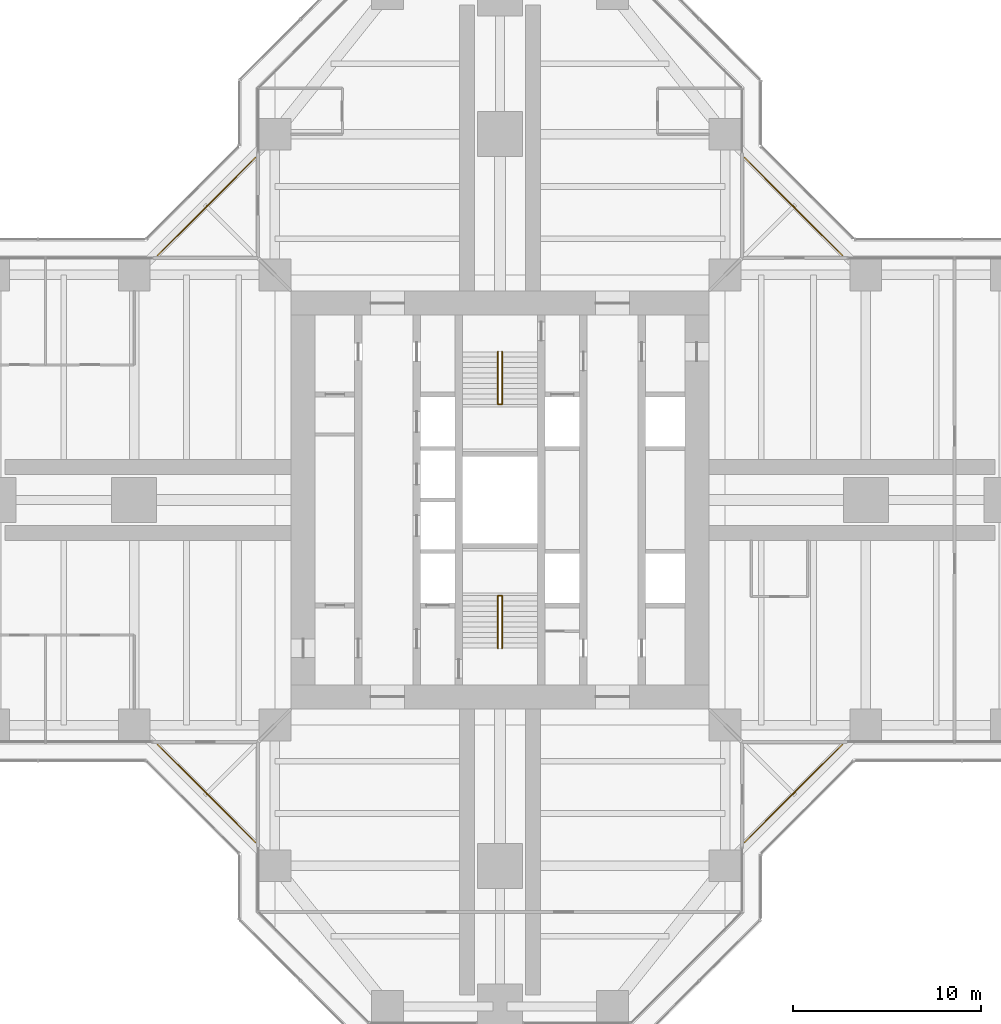
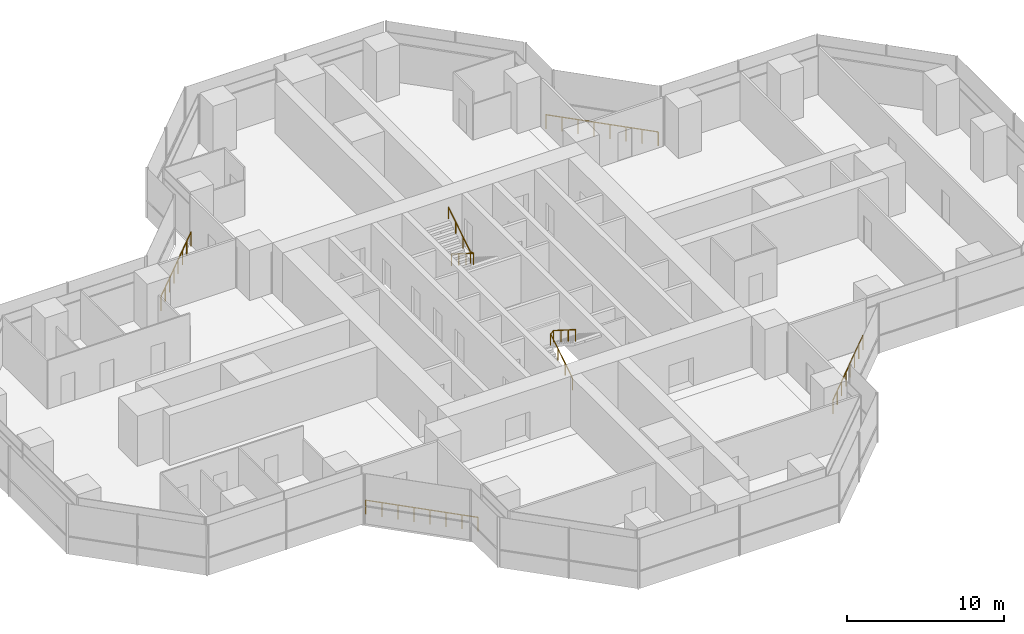
# One storey, part 20 of 20: 6 railings.
"""IFC4 building model written with IfcOpenShell, lengths in metres."""

from ifc_helpers import new_model, si_unit, direction, frame, origin, origin_2d, place, context, subcontext, project, spatial, circle, extrude, material, type_object, element, save


model = new_model("IFC4")

# Units and contexts
model_context = context("Model", 3, precision=1e-05, world=origin(), true_north=direction((0.0, 1.0)))
body_context = subcontext(model_context, "Body", "Model", "MODEL_VIEW")
ifc_project = project(units=[si_unit("LENGTHUNIT", "METRE"), si_unit("AREAUNIT", "SQUARE_METRE"), si_unit("VOLUMEUNIT", "CUBIC_METRE"), si_unit("PLANEANGLEUNIT", "RADIAN"), si_unit("MASSUNIT", "GRAM", prefix="KILO")], contexts=[model_context])

# Site, building, storey
site_placement = place(None, origin())
site = spatial("IfcSite", under=ifc_project, at=site_placement, CompositionType="ELEMENT")
building_placement = place(site_placement, origin())
building = spatial("IfcBuilding", under=site, at=building_placement, Name="Mizan Broadcast Tower", CompositionType="ELEMENT")
storey_placement = place(building_placement, frame((0.0, 0.0, 171.0)))
storey = spatial("IfcBuildingStorey", under=building, at=storey_placement, Name="L39", CompositionType="ELEMENT", Elevation=171.0)

# Railings
ifc_material_1 = material(Name="Stainless steel and glass guard", Category="steel")
railing_type_1 = type_object("IfcRailingType", Name="GUARD 1100", PredefinedType="GUARDRAIL", material=ifc_material_1)
railing_1_placement = place(storey_placement, frame((18.2578125, 13.030029296875, 0.0)))
element("IfcRailing", 1, at=railing_1_placement, inside=storey, type_object=railing_type_1, Name="Winter garden guard L39 E", PredefinedType="GUARDRAIL", context=body_context, shape_type="SweptSolid", body=[
    extrude(circle(Radius=0.02392578125, at=origin_2d()), frame((0.0, 0.0, 1.076171875), z_axis=(-0.707106781187, 0.707106781187, 0.0), x_axis=(-0.707106781187, -0.707106781187, 0.0)), (0.0, 0.0, 1.0), 7.393310546875),
    extrude(circle(Radius=0.02099609375, at=origin_2d()), origin(), (0.0, 0.0, 1.0), 1.052001953125),
    extrude(circle(Radius=0.02099609375, at=origin_2d()), frame((-0.746826171875, 0.746826171875, 0.0)), (0.0, 0.0, 1.0), 1.052001953125),
    extrude(circle(Radius=0.02099609375, at=origin_2d()), frame((-1.49365234375, 1.49365234375, 0.0)), (0.0, 0.0, 1.0), 1.052001953125),
    extrude(circle(Radius=0.02099609375, at=origin_2d()), frame((-2.240478515625, 2.240478515625, 0.0)), (0.0, 0.0, 1.0), 1.052001953125),
    extrude(circle(Radius=0.02099609375, at=origin_2d()), frame((-2.9873046875, 2.9873046875, 0.0)), (0.0, 0.0, 1.0), 1.052001953125),
    extrude(circle(Radius=0.02099609375, at=origin_2d()), frame((-3.734130859375, 3.734130859375, 0.0)), (0.0, 0.0, 1.0), 1.052001953125),
    extrude(circle(Radius=0.02099609375, at=origin_2d()), frame((-4.48095703125, 4.48095703125, 0.0)), (0.0, 0.0, 1.0), 1.052001953125),
    extrude(circle(Radius=0.02099609375, at=origin_2d()), frame((-5.227783203125, 5.227783203125, 0.0)), (0.0, 0.0, 1.0), 1.052001953125),
])
railing_2_placement = place(storey_placement, frame((-13.030029296875, 18.2578125, 0.0)))
element("IfcRailing", 2, at=railing_2_placement, inside=storey, type_object=railing_type_1, Name="Winter garden guard L39 N", PredefinedType="GUARDRAIL", context=body_context, shape_type="SweptSolid", body=[
    extrude(circle(Radius=0.02392578125, at=origin_2d()), frame((0.0, 0.0, 1.076171875), z_axis=(-0.707106781187, -0.707106781187, 0.0), x_axis=(0.707106781187, -0.707106781187, 0.0)), (0.0, 0.0, 1.0), 7.393310546875),
    extrude(circle(Radius=0.02099609375, at=origin_2d()), origin(), (0.0, 0.0, 1.0), 1.052001953125),
    extrude(circle(Radius=0.02099609375, at=origin_2d()), frame((-0.746826171875, -0.746826171875, 0.0)), (0.0, 0.0, 1.0), 1.052001953125),
    extrude(circle(Radius=0.02099609375, at=origin_2d()), frame((-1.49365234375, -1.49365234375, 0.0)), (0.0, 0.0, 1.0), 1.052001953125),
    extrude(circle(Radius=0.02099609375, at=origin_2d()), frame((-2.240478515625, -2.240478515625, 0.0)), (0.0, 0.0, 1.0), 1.052001953125),
    extrude(circle(Radius=0.02099609375, at=origin_2d()), frame((-2.9873046875, -2.9873046875, 0.0)), (0.0, 0.0, 1.0), 1.052001953125),
    extrude(circle(Radius=0.02099609375, at=origin_2d()), frame((-3.734130859375, -3.734130859375, 0.0)), (0.0, 0.0, 1.0), 1.052001953125),
    extrude(circle(Radius=0.02099609375, at=origin_2d()), frame((-4.48095703125, -4.48095703125, 0.0)), (0.0, 0.0, 1.0), 1.052001953125),
    extrude(circle(Radius=0.02099609375, at=origin_2d()), frame((-5.227783203125, -5.227783203125, 0.0)), (0.0, 0.0, 1.0), 1.052001953125),
])
railing_3_placement = place(storey_placement, frame((-18.2578125, -13.030029296875, 0.0)))
element("IfcRailing", 3, at=railing_3_placement, inside=storey, type_object=railing_type_1, Name="Winter garden guard L39 W", PredefinedType="GUARDRAIL", context=body_context, shape_type="SweptSolid", body=[
    extrude(circle(Radius=0.02392578125, at=origin_2d()), frame((0.0, 0.0, 1.076171875), z_axis=(0.707106781187, -0.707106781187, 0.0), x_axis=(0.707106781187, 0.707106781187, 0.0)), (0.0, 0.0, 1.0), 7.393310546875),
    extrude(circle(Radius=0.02099609375, at=origin_2d()), origin(), (0.0, 0.0, 1.0), 1.052001953125),
    extrude(circle(Radius=0.02099609375, at=origin_2d()), frame((0.746826171875, -0.746826171875, 0.0)), (0.0, 0.0, 1.0), 1.052001953125),
    extrude(circle(Radius=0.02099609375, at=origin_2d()), frame((1.49365234375, -1.49365234375, 0.0)), (0.0, 0.0, 1.0), 1.052001953125),
    extrude(circle(Radius=0.02099609375, at=origin_2d()), frame((2.240478515625, -2.240478515625, 0.0)), (0.0, 0.0, 1.0), 1.052001953125),
    extrude(circle(Radius=0.02099609375, at=origin_2d()), frame((2.9873046875, -2.9873046875, 0.0)), (0.0, 0.0, 1.0), 1.052001953125),
    extrude(circle(Radius=0.02099609375, at=origin_2d()), frame((3.734130859375, -3.734130859375, 0.0)), (0.0, 0.0, 1.0), 1.052001953125),
    extrude(circle(Radius=0.02099609375, at=origin_2d()), frame((4.48095703125, -4.48095703125, 0.0)), (0.0, 0.0, 1.0), 1.052001953125),
    extrude(circle(Radius=0.02099609375, at=origin_2d()), frame((5.227783203125, -5.227783203125, 0.0)), (0.0, 0.0, 1.0), 1.052001953125),
])
railing_4_placement = place(storey_placement, frame((13.030029296875, -18.2578125, 0.0)))
element("IfcRailing", 4, at=railing_4_placement, inside=storey, type_object=railing_type_1, Name="Winter garden guard L39 S", PredefinedType="GUARDRAIL", context=body_context, shape_type="SweptSolid", body=[
    extrude(circle(Radius=0.02392578125, at=origin_2d()), frame((0.0, 0.0, 1.076171875), z_axis=(0.707106781187, 0.707106781187, 0.0), x_axis=(-0.707106781187, 0.707106781187, 0.0)), (0.0, 0.0, 1.0), 7.393310546875),
    extrude(circle(Radius=0.02099609375, at=origin_2d()), origin(), (0.0, 0.0, 1.0), 1.052001953125),
    extrude(circle(Radius=0.02099609375, at=origin_2d()), frame((0.746826171875, 0.746826171875, 0.0)), (0.0, 0.0, 1.0), 1.052001953125),
    extrude(circle(Radius=0.02099609375, at=origin_2d()), frame((1.49365234375, 1.49365234375, 0.0)), (0.0, 0.0, 1.0), 1.052001953125),
    extrude(circle(Radius=0.02099609375, at=origin_2d()), frame((2.240478515625, 2.240478515625, 0.0)), (0.0, 0.0, 1.0), 1.052001953125),
    extrude(circle(Radius=0.02099609375, at=origin_2d()), frame((2.9873046875, 2.9873046875, 0.0)), (0.0, 0.0, 1.0), 1.052001953125),
    extrude(circle(Radius=0.02099609375, at=origin_2d()), frame((3.734130859375, 3.734130859375, 0.0)), (0.0, 0.0, 1.0), 1.052001953125),
    extrude(circle(Radius=0.02099609375, at=origin_2d()), frame((4.48095703125, 4.48095703125, 0.0)), (0.0, 0.0, 1.0), 1.052001953125),
    extrude(circle(Radius=0.02099609375, at=origin_2d()), frame((5.227783203125, 5.227783203125, 0.0)), (0.0, 0.0, 1.0), 1.052001953125),
])
ifc_material_2 = material(Name="Stainless steel", Category="steel")
railing_type_2 = type_object("IfcRailingType", Name="HANDRAIL 50", PredefinedType="HANDRAIL", material=ifc_material_2)
railing_5_placement = place(storey_placement, frame((-0.110107421875, -7.89990234375, 0.17724609375)))
element("IfcRailing", 5, at=railing_5_placement, inside=storey, type_object=railing_type_2, Name="Stair A handrail", PredefinedType="HANDRAIL", context=body_context, shape_type="SweptSolid", body=[
    extrude(circle(Radius=0.02392578125, at=origin_2d()), frame((0.0, 0.0, 0.8759765625), z_axis=(0.0, 0.844887892834, 0.53494340686), x_axis=(-1.0, 0.0, 0.0)), (0.0, 0.0, 1.0), 3.313720703125),
    extrude(circle(Radius=0.02392578125, at=origin_2d()), frame((0.0, 2.7998046875, 2.6484375), z_axis=(0.779011685263, 0.0, 0.627009405212), x_axis=(0.0, 1.0, 0.0)), (0.0, 0.0, 1.0), 0.28271484375),
    extrude(circle(Radius=0.02392578125, at=origin_2d()), frame((0.22021484375, 2.7998046875, 2.82568359375), z_axis=(0.0, -0.844887892834, 0.53494340686), x_axis=(1.0, 0.0, 0.0)), (0.0, 0.0, 1.0), 3.313720703125),
    extrude(circle(Radius=0.02099609375, at=origin_2d()), origin(), (0.0, 0.0, 1.0), 0.851806640625),
    extrude(circle(Radius=0.02099609375, at=origin_2d()), frame((0.0, 0.933349609375, 0.5908203125)), (0.0, 0.0, 1.0), 0.851806640625),
    extrude(circle(Radius=0.02099609375, at=origin_2d()), frame((0.0, 1.866455078125, 1.181884765625)), (0.0, 0.0, 1.0), 0.851806640625),
    extrude(circle(Radius=0.02099609375, at=origin_2d()), frame((0.0, 2.7998046875, 1.772705078125)), (0.0, 0.0, 1.0), 0.851806640625),
    extrude(circle(Radius=0.02099609375, at=origin_2d()), frame((0.22021484375, 2.7998046875, 1.949951171875)), (0.0, 0.0, 1.0), 0.851806640625),
    extrude(circle(Radius=0.02099609375, at=origin_2d()), frame((0.22021484375, 1.866455078125, 2.540771484375)), (0.0, 0.0, 1.0), 0.851806640625),
    extrude(circle(Radius=0.02099609375, at=origin_2d()), frame((0.22021484375, 0.933349609375, 3.1318359375)), (0.0, 0.0, 1.0), 0.851806640625),
    extrude(circle(Radius=0.02099609375, at=origin_2d()), frame((0.22021484375, 0.0, 3.72265625)), (0.0, 0.0, 1.0), 0.851806640625),
])
railing_6_placement = place(storey_placement, frame((0.110107421875, 7.89990234375, 0.17724609375)))
element("IfcRailing", 6, at=railing_6_placement, inside=storey, type_object=railing_type_2, Name="Stair B handrail", PredefinedType="HANDRAIL", context=body_context, shape_type="SweptSolid", body=[
    extrude(circle(Radius=0.02392578125, at=origin_2d()), frame((0.0, 0.0, 0.8759765625), z_axis=(0.0, -0.844887892834, 0.53494340686), x_axis=(1.0, 0.0, 0.0)), (0.0, 0.0, 1.0), 3.313720703125),
    extrude(circle(Radius=0.02392578125, at=origin_2d()), frame((0.0, -2.7998046875, 2.6484375), z_axis=(-0.779011685263, 0.0, 0.627009405212), x_axis=(0.0, -1.0, 0.0)), (0.0, 0.0, 1.0), 0.28271484375),
    extrude(circle(Radius=0.02392578125, at=origin_2d()), frame((-0.22021484375, -2.7998046875, 2.82568359375), z_axis=(0.0, 0.844887892834, 0.53494340686), x_axis=(-1.0, 0.0, 0.0)), (0.0, 0.0, 1.0), 3.313720703125),
    extrude(circle(Radius=0.02099609375, at=origin_2d()), origin(), (0.0, 0.0, 1.0), 0.851806640625),
    extrude(circle(Radius=0.02099609375, at=origin_2d()), frame((0.0, -0.933349609375, 0.5908203125)), (0.0, 0.0, 1.0), 0.851806640625),
    extrude(circle(Radius=0.02099609375, at=origin_2d()), frame((0.0, -1.866455078125, 1.181884765625)), (0.0, 0.0, 1.0), 0.851806640625),
    extrude(circle(Radius=0.02099609375, at=origin_2d()), frame((0.0, -2.7998046875, 1.772705078125)), (0.0, 0.0, 1.0), 0.851806640625),
    extrude(circle(Radius=0.02099609375, at=origin_2d()), frame((-0.22021484375, -2.7998046875, 1.949951171875)), (0.0, 0.0, 1.0), 0.851806640625),
    extrude(circle(Radius=0.02099609375, at=origin_2d()), frame((-0.22021484375, -1.866455078125, 2.540771484375)), (0.0, 0.0, 1.0), 0.851806640625),
    extrude(circle(Radius=0.02099609375, at=origin_2d()), frame((-0.22021484375, -0.933349609375, 3.1318359375)), (0.0, 0.0, 1.0), 0.851806640625),
    extrude(circle(Radius=0.02099609375, at=origin_2d()), frame((-0.22021484375, 0.0, 3.72265625)), (0.0, 0.0, 1.0), 0.851806640625),
])

save(model, "model.ifc")
